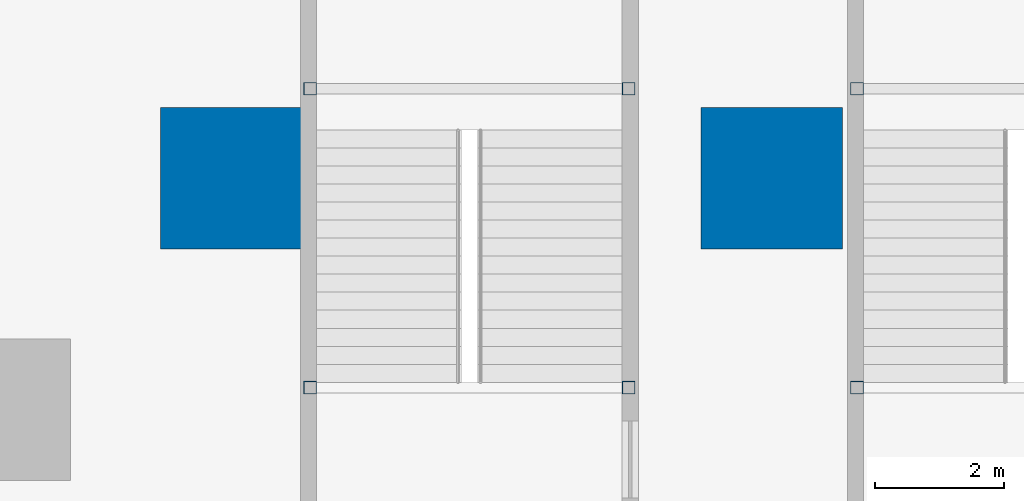
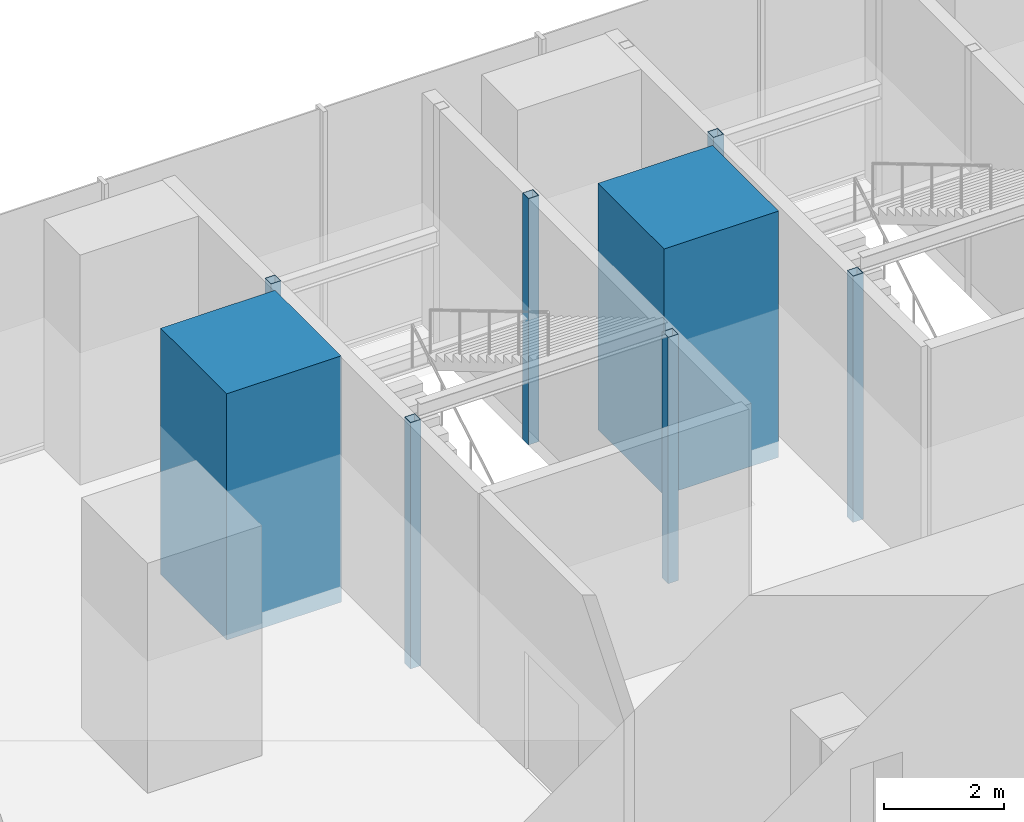
# One storey, part 8 of 33: 8 columns.
"""IFC4 building model written with IfcOpenShell, lengths in metres."""

import ifcopenshell
import ifcopenshell.guid

model = None  # the IFC model being written
_history = None  # IfcOwnerHistory: only IFC2X3 demands one
_inside = {}  # id of a spatial element -> (the spatial element, [elements in it])
_under = {}  # id of a project, library or spatial element -> (it, [spatial elements below it])
_declared = {}  # id of a project -> (the project, [libraries it declares])
_typed = {}  # id of a type object -> (the type object, [elements of that type])
_made_of = {}  # id of a material, layer set ... -> (it, [elements and type objects made of it])


def new_model(schema):
    """Start an empty IFC model of exactly this schema.

    Asked for "IFC4X3", IfcOpenShell would pick the latest addendum, in which some entities
    have other attributes; the version numbers below select the first issue.
    IFC2X3 requires an IfcOwnerHistory on every rooted entity: one is made here for all.
    """
    global model, _history
    if schema == "IFC4X3":
        model = ifcopenshell.file(schema_version=(4, 3, 0, 0))
    else:
        model = ifcopenshell.file(schema=schema)
    _inside.clear()
    _under.clear()
    _declared.clear()
    _typed.clear()
    _made_of.clear()
    _history = None
    if model.schema == "IFC2X3":
        org = make("IfcOrganization", Name="unknown")
        user = make(
            "IfcPersonAndOrganization",
            ThePerson=make("IfcPerson", FamilyName="unknown"),
            TheOrganization=org,
        )
        app = make(
            "IfcApplication",
            ApplicationDeveloper=org,
            Version="unknown",
            ApplicationFullName="unknown",
            ApplicationIdentifier="unknown",
        )
        _history = make(
            "IfcOwnerHistory",
            OwningUser=user,
            OwningApplication=app,
            ChangeAction="ADDED",
            CreationDate=0,
        )
    return model


def make(cls, **values):
    """One entity of the class cls with the attributes given. An attribute that is None is left unset."""
    return model.create_entity(
        cls, **{name: value for name, value in values.items() if value is not None}
    )


def rooted(cls, **values):
    """An entity with a GlobalId (a new one), such as an element, a storey or a relation."""
    return make(cls, GlobalId=ifcopenshell.guid.new(), OwnerHistory=_history, **values)


def si_unit(unit_type, name, prefix=None):
    """IfcSIUnit, for example si_unit("LENGTHUNIT", "METRE", prefix="MILLI")."""
    return make("IfcSIUnit", UnitType=unit_type, Prefix=prefix, Name=name)


def assignment(units):
    """IfcUnitAssignment: the units of a project."""
    return None if units is None else make("IfcUnitAssignment", Units=units)


def point(xyz):
    """IfcCartesianPoint."""
    return None if xyz is None else make("IfcCartesianPoint", Coordinates=xyz)


def direction(xyz):
    """IfcDirection."""
    return None if xyz is None else make("IfcDirection", DirectionRatios=xyz)


def frame(location, z_axis=None, x_axis=None):
    """IfcAxis2Placement3D, a coordinate frame: its origin and axes. An axis left out is left unset."""
    return make(
        "IfcAxis2Placement3D",
        Location=point(location),
        Axis=direction(z_axis),
        RefDirection=direction(x_axis),
    )


def frame_2d(location, x_axis=None):
    """IfcAxis2Placement2D, a coordinate frame in the plane: its origin and x axis."""
    return make(
        "IfcAxis2Placement2D", Location=point(location), RefDirection=direction(x_axis)
    )


def origin():
    """The frame at (0, 0, 0) with its axes left unset."""
    return frame((0.0, 0.0, 0.0))


def origin_2d():
    """The frame at (0, 0) in the plane with its x axis left unset."""
    return frame_2d((0.0, 0.0))


def place(relative_to, where):
    """IfcLocalPlacement: puts the frame where relative to a parent placement (None: the world)."""
    return make(
        "IfcLocalPlacement", PlacementRelTo=relative_to, RelativePlacement=where
    )


def context(
    kind, dimensions, precision=None, world=None, true_north=None, identifier=None
):
    """IfcGeometricRepresentationContext, for example the 3D "Model" context."""
    return make(
        "IfcGeometricRepresentationContext",
        ContextIdentifier=identifier,
        ContextType=kind,
        CoordinateSpaceDimension=dimensions,
        Precision=precision,
        WorldCoordinateSystem=world,
        TrueNorth=true_north,
    )


def subcontext(parent, identifier, kind, view, scale=None):
    """IfcGeometricRepresentationSubContext, for example "Body" below "Model"."""
    return make(
        "IfcGeometricRepresentationSubContext",
        ContextIdentifier=identifier,
        ContextType=kind,
        ParentContext=parent,
        TargetScale=scale,
        TargetView=view,
    )


def project(units=None, contexts=None):
    """IfcProject with its units and contexts."""
    return rooted(
        "IfcProject",
        Name="project",
        RepresentationContexts=contexts,
        UnitsInContext=assignment(units),
    )


def spatial(cls, under=None, at=None, **own):
    """A site, building, storey or space (cls), placed at a placement, below another one or the project."""
    s = rooted(cls, ObjectPlacement=at, **own)
    if under is not None:
        _under.setdefault(under.id(), (under, []))[1].append(s)
    return s


def profile(cls, at=None, kind="AREA", **sizes):
    """A parametric profile (cls). Its sizes go by their IFC names, for example OverallWidth=200.0."""
    return make(cls, ProfileType=kind, Position=at, **sizes)


def rectangle(**sizes):
    """IfcRectangleProfileDef."""
    return profile("IfcRectangleProfileDef", **sizes)


def hollow_rectangle(**sizes):
    """IfcRectangleHollowProfileDef."""
    return profile("IfcRectangleHollowProfileDef", **sizes)


def extrude(swept, where, along, depth):
    """IfcExtrudedAreaSolid: the profile swept, set in the frame where, extruded along a direction by depth."""
    return make(
        "IfcExtrudedAreaSolid",
        SweptArea=swept,
        Position=where,
        ExtrudedDirection=direction(along),
        Depth=depth,
    )


def shape(context_of_items, identifier, shape_type, items):
    """IfcShapeRepresentation: the items that make up one representation, for example the "Body"."""
    return make(
        "IfcShapeRepresentation",
        ContextOfItems=context_of_items,
        RepresentationIdentifier=identifier,
        RepresentationType=shape_type,
        Items=items,
    )


def material(Name=None, Category=None):
    """IfcMaterial."""
    return make("IfcMaterial", Name=Name, Category=Category)


def material_profile(
    of_material, cross_section, Name=None, Category=None, Priority=None
):
    """IfcMaterialProfile: a cross section and its material."""
    return make(
        "IfcMaterialProfile",
        Name=Name,
        Material=of_material,
        Profile=cross_section,
        Priority=Priority,
        Category=Category,
    )


def profile_set(profiles, Name=None, composite=None):
    """IfcMaterialProfileSet."""
    return make(
        "IfcMaterialProfileSet",
        Name=Name,
        MaterialProfiles=profiles,
        CompositeProfile=composite,
    )


def made_of(thing, what):
    """Note that an element or type object is made of a material, layer set ...; save() writes the relation."""
    if what is not None:
        _made_of.setdefault(what.id(), (what, []))[1].append(thing)
    return thing


def type_object(cls, material=None, **own):
    """A type object (cls), such as IfcWallType, which elements share."""
    return made_of(rooted(cls, **own), material)


def element(
    cls,
    number,
    at=None,
    inside=None,
    cuts=None,
    type_object=None,
    material=None,
    context=None,
    identifier="Body",
    shape_type=None,
    held_by="IfcProductDefinitionShape",
    body=None,
    shapes=None,
    **own,
):
    """One element of the class cls, such as IfcWall. Its Tag is "e" and its number.

    at: its placement. inside: the storey or other place that contains it. cuts: it is an
    opening in that element (IfcRelVoidsElement). A single representation is given by context,
    identifier, shape_type and body (its items); several are given by shapes. held_by: the class
    of the entity that holds the representations. save() writes the other relations.
    """
    e = rooted(cls, Tag="e%d" % number, ObjectPlacement=at, **own)
    if body is not None:
        shapes = [shape(context, identifier, shape_type, body)]
    if shapes is not None:
        e.Representation = make(held_by, Representations=shapes)
    if inside is not None:
        _inside.setdefault(inside.id(), (inside, []))[1].append(e)
    if cuts is not None:
        rooted(
            "IfcRelVoidsElement", RelatingBuildingElement=cuts, RelatedOpeningElement=e
        )
    if type_object is not None:
        _typed.setdefault(type_object.id(), (type_object, []))[1].append(e)
    return made_of(e, material)


def aggregate(whole, parts):
    """IfcRelAggregates: a whole, such as a stair, and the parts it consists of."""
    return rooted("IfcRelAggregates", RelatingObject=whole, RelatedObjects=parts)


def save(model, path):
    """Write the relations noted so far, then the file.

    IfcRelAggregates (storeys below a building ...), IfcRelContainedInSpatialStructure (elements
    in a storey), IfcRelDefinesByType, IfcRelAssociatesMaterial and IfcRelDeclares: one each for
    every whole, place, type object, material and project.
    """
    for whole, parts in _under.values():
        aggregate(whole, parts)
    for where, things in _inside.values():
        rooted(
            "IfcRelContainedInSpatialStructure",
            RelatedElements=things,
            RelatingStructure=where,
        )
    for kind, things in _typed.values():
        rooted("IfcRelDefinesByType", RelatedObjects=things, RelatingType=kind)
    for what, things in _made_of.values():
        rooted("IfcRelAssociatesMaterial", RelatedObjects=things, RelatingMaterial=what)
    for by, libraries in _declared.values():
        rooted("IfcRelDeclares", RelatingContext=by, RelatedDefinitions=libraries)
    model.write(path)


model = new_model("IFC4")

# Units and contexts
model_context = context("Model", 3, precision=1e-05, world=origin(), true_north=direction((0.0, 1.0)))
body_context = subcontext(model_context, "Body", "Model", "MODEL_VIEW")
ifc_project = project(units=[si_unit("LENGTHUNIT", "METRE"), si_unit("AREAUNIT", "SQUARE_METRE"), si_unit("VOLUMEUNIT", "CUBIC_METRE"), si_unit("PLANEANGLEUNIT", "RADIAN"), si_unit("MASSUNIT", "GRAM", prefix="KILO")], contexts=[model_context])

# Site, building, storey
site_placement = place(None, origin())
site = spatial("IfcSite", under=ifc_project, at=site_placement, CompositionType="ELEMENT")
building_placement = place(site_placement, origin())
building = spatial("IfcBuilding", under=site, at=building_placement, Name="Dunama Terrace Hotel", CompositionType="ELEMENT")
storey_placement = place(building_placement, frame((0.0, 0.0, 12.0)))
storey = spatial("IfcBuildingStorey", under=building, at=storey_placement, Name="L02", CompositionType="ELEMENT", Elevation=12.0)

# Columns
ifc_material_1 = material(Name="Concrete C60/75", Category="concrete")
ifc_material_profile_1 = material_profile(ifc_material_1, rectangle(XDim=2.199951171875, YDim=2.199951171875, at=origin_2d()), Name="RC 2200x2200")
ifc_profile_set_1 = profile_set([ifc_material_profile_1], Name="Concrete C60/75")
column_type_1 = type_object("IfcColumnType", Name="Column RC 2200x2200", PredefinedType="COLUMN", material=ifc_profile_set_1)
for number, where, z_axis, x_axis, name in (
    (1, (16.800048828125, 54.0, -0.300048828125), (0.0, 0.0, 1.0), (1.0, 0.0, 0.0), "Column L02 +16.8/+54.0"),
    (2, (25.199951171875, 54.0, -0.300048828125), (0.0, 0.0, 1.0), (1.0, 0.0, 0.0), "Column L02 +25.2/+54.0"),
):
    element("IfcColumn", number, at=place(storey_placement, frame(where, z_axis=z_axis, x_axis=x_axis)), inside=storey, type_object=column_type_1, Name=name, PredefinedType="COLUMN", context=body_context, shape_type="SweptSolid", body=[
        extrude(rectangle(XDim=2.199951171875, YDim=2.199951171875, at=origin_2d()), origin(), (0.0, 0.0, 1.0), 5.0),
    ])
ifc_material_2 = material(Name="Steel S355", Category="steel")
ifc_material_profile_2 = material_profile(ifc_material_2, hollow_rectangle(XDim=0.199951171875, YDim=0.199951171875, WallThickness=0.010009765625, at=origin_2d()), Name="SHS 200x200x10")
ifc_profile_set_2 = profile_set([ifc_material_profile_2], Name="Steel S355")
column_type_2 = type_object("IfcColumnType", Name="Stair post SHS 200x200x10", PredefinedType="COLUMN", material=ifc_profile_set_2)
for number, where, z_axis, x_axis, name in (
    (3, (18.02490234375, 50.742431640625, -0.300048828125), (0.0, 0.0, 1.0), (1.0, 0.0, 0.0), "Stair post P5 L02 +18.02/+50.74"),
    (4, (22.97509765625, 50.742431640625, -0.300048828125), (0.0, 0.0, 1.0), (1.0, 0.0, 0.0), "Stair post P5 L02 +22.98/+50.74"),
    (5, (18.02490234375, 55.387451171875, -0.300048828125), (0.0, 0.0, 1.0), (1.0, 0.0, 0.0), "Stair post P5 L02 +18.02/+55.39"),
    (6, (22.97509765625, 55.387451171875, -0.300048828125), (0.0, 0.0, 1.0), (1.0, 0.0, 0.0), "Stair post P5 L02 +22.98/+55.39"),
    (7, (26.52490234375, 50.742431640625, -0.300048828125), (0.0, 0.0, 1.0), (1.0, 0.0, 0.0), "Stair post P6 L02 +26.52/+50.74"),
    (8, (26.52490234375, 55.387451171875, -0.300048828125), (0.0, 0.0, 1.0), (1.0, 0.0, 0.0), "Stair post P6 L02 +26.52/+55.39"),
):
    element("IfcColumn", number, at=place(storey_placement, frame(where, z_axis=z_axis, x_axis=x_axis)), inside=storey, type_object=column_type_2, Name=name, PredefinedType="COLUMN", context=body_context, shape_type="SweptSolid", body=[
        extrude(hollow_rectangle(XDim=0.199951171875, YDim=0.199951171875, WallThickness=0.010009765625, at=origin_2d()), origin(), (0.0, 0.0, 1.0), 5.0),
    ])

save(model, "model.ifc")
